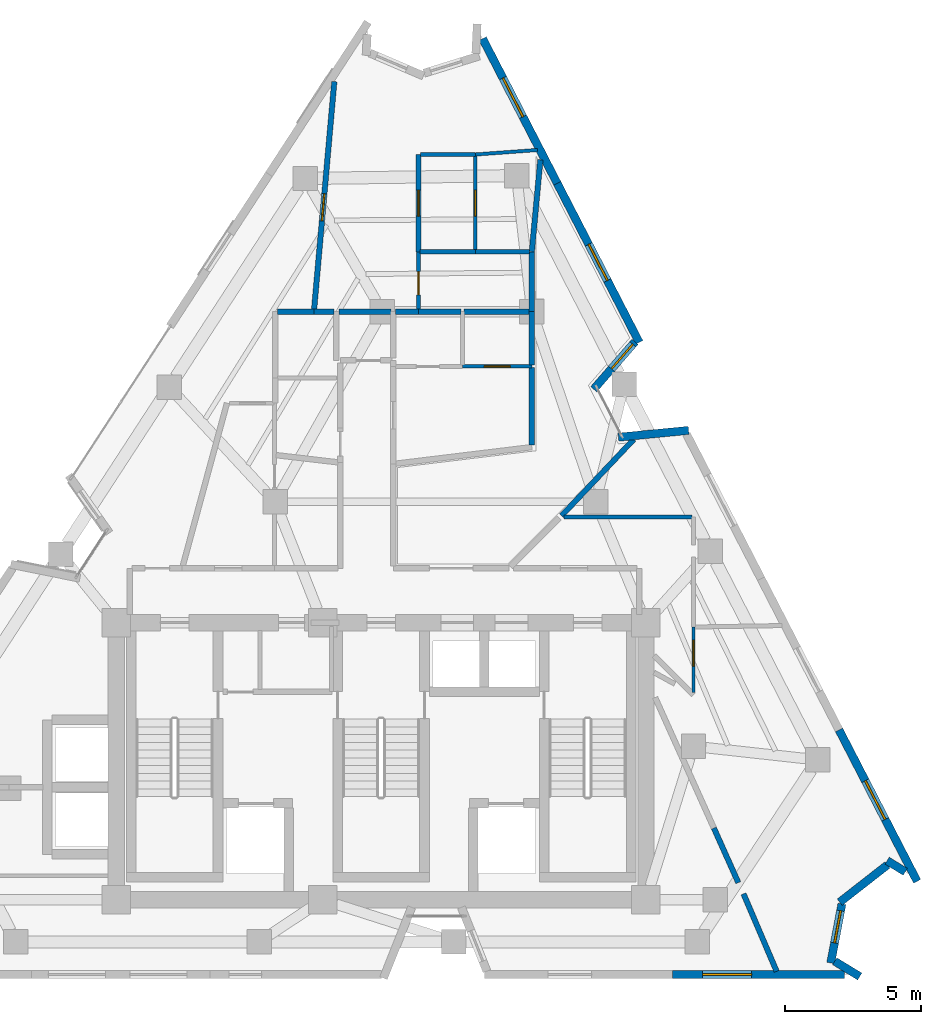
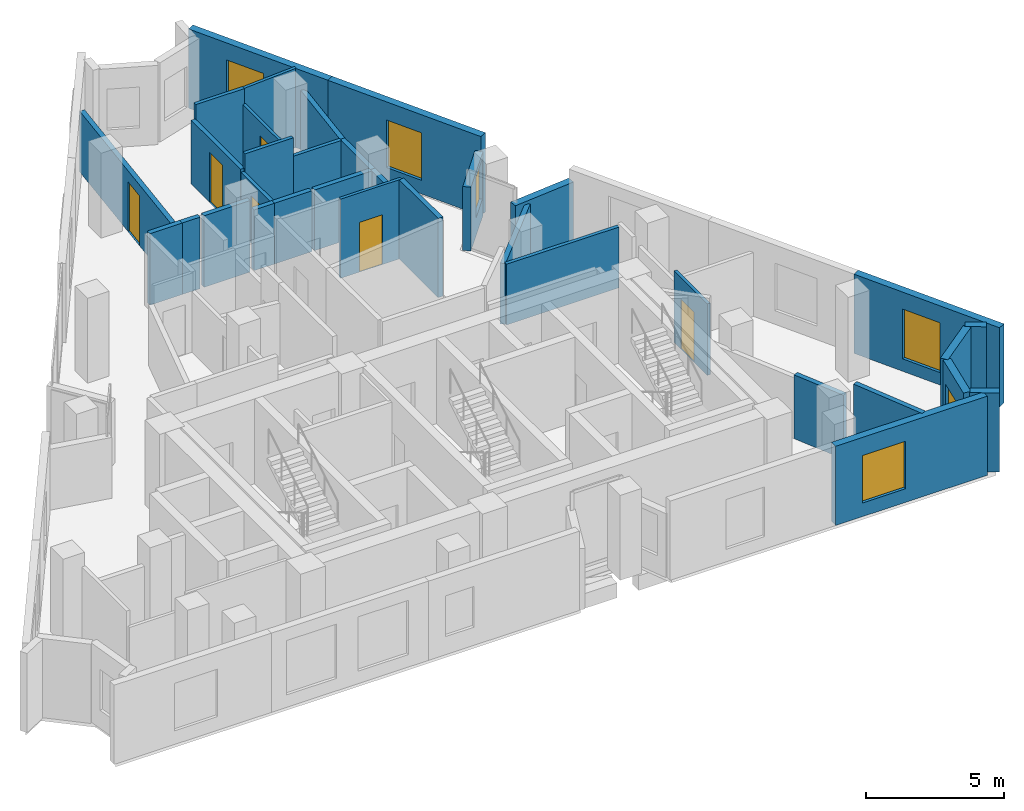
# One storey, part 7 of 9: 34 walls, 6 doors, 6 windows, 12 openings.
"""IFC4 building model written with IfcOpenShell, lengths in metres."""

from ifc_helpers import new_model, si_unit, direction, frame, frame_2d, origin, place, context, subcontext, project, spatial, rectangle, extrude, material, layer, layer_set, type_object, element, fill, save


model = new_model("IFC4")

# Units and contexts
model_context = context("Model", 3, precision=1e-05, world=origin(), true_north=direction((0.0, 1.0)))
body_context = subcontext(model_context, "Body", "Model", "MODEL_VIEW")
ifc_project = project(units=[si_unit("LENGTHUNIT", "METRE"), si_unit("AREAUNIT", "SQUARE_METRE"), si_unit("VOLUMEUNIT", "CUBIC_METRE"), si_unit("PLANEANGLEUNIT", "RADIAN"), si_unit("MASSUNIT", "GRAM", prefix="KILO")], contexts=[model_context])

# Site, building, storey
site_placement = place(None, origin())
site = spatial("IfcSite", under=ifc_project, at=site_placement, CompositionType="ELEMENT")
building_placement = place(site_placement, origin())
building = spatial("IfcBuilding", under=site, at=building_placement, Name="Almagre Mirador Tower", CompositionType="ELEMENT")
storey_placement = place(building_placement, frame((0.0, 0.0, 210.75)))
storey = spatial("IfcBuildingStorey", under=building, at=storey_placement, Name="L54", CompositionType="ELEMENT", Elevation=210.75)

# Wall, opening, window
ifc_material_1 = material(Name="Precast concrete C50/60", Category="concrete")
ifc_layer_1 = layer(ifc_material_1, 0.300048828125)
ifc_layer_set_1 = layer_set([ifc_layer_1], Name="Precast concrete C50/60")
wall_type_1 = type_object("IfcWallType", Name="WAL-EXT-300", PredefinedType="SOLIDWALL", material=ifc_layer_set_1)
wall_1_placement = place(storey_placement, frame((41.039306640625, 36.2451171875, 0.0), z_axis=(0.0, 0.0, 1.0), x_axis=(0.458292150172, -0.888801611773, 0.0)))
wall_1 = element("IfcWall", 1, at=wall_1_placement, inside=storey, type_object=wall_type_1, Name="L54 expressed almagre precast frame wall 09", PredefinedType="SOLIDWALL", context=body_context, shape_type="SweptSolid", body=[
    extrude(rectangle(XDim=5.9931640625, YDim=0.300048828125, at=frame_2d((2.99658203125, 0.0))), origin(), (0.0, 0.0, 1.0), 3.5),
])
opening_1_placement = place(wall_1_placement, frame((1.635009765625, 0.0, 0.550048828125)))
opening_1 = element("IfcOpeningElement", 2, at=opening_1_placement, cuts=wall_1, Name="Opening WN-06", PredefinedType="OPENING", context=body_context, shape_type="SweptSolid", body=[
    extrude(rectangle(XDim=1.60009765625, YDim=2.199951171875, at=frame_2d((0.800048828125, 1.10009765625))), frame((0.0, 0.159902, 0.0), z_axis=(0.0, -1.0, 0.0), x_axis=(1.0, 0.0, 0.0)), (0.0, 0.0, 1.0), 0.320049),
])
ifc_material_2 = material(Name="Dark solar-control laminated hurricane glass", Category="glass")
window_type_1 = type_object("IfcWindowType", Name="WIN-1600X2200", PartitioningType="DOUBLE_PANEL_VERTICAL", PredefinedType="WINDOW", material=ifc_material_2)
window_1_placement = place(opening_1_placement, origin())
window_1 = element("IfcWindow", 3, at=window_1_placement, inside=storey, type_object=window_type_1, Name="L54 recessed hurricane window L54-UL-ST", OverallHeight=2.199951171875, OverallWidth=1.60009765625, PartitioningType="SINGLE_PANEL", PredefinedType="WINDOW", context=body_context, shape_type="SweptSolid", body=[
    extrude(rectangle(XDim=1.60009765625, YDim=2.199951171875, at=frame_2d((0.800048828125, 1.10009765625))), frame((0.0, 0.030029296875, 0.0), z_axis=(0.0, -1.0, 0.0), x_axis=(1.0, 0.0, 0.0)), (0.0, 0.0, 1.0), 0.06005859375),
])
fill(opening_1, window_1)

wall_2_placement = place(storey_placement, frame((43.785888671875, 30.91845703125, 0.0), z_axis=(0.0, 0.0, 1.0), x_axis=(0.458349099599, -0.888772244671, 0.0)))
wall_2 = element("IfcWall", 4, at=wall_2_placement, inside=storey, type_object=wall_type_1, Name="L54 expressed almagre precast frame wall 10", PredefinedType="SOLIDWALL", context=body_context, shape_type="SweptSolid", body=[
    extrude(rectangle(XDim=6.5830078125, YDim=0.300048828125, at=frame_2d((3.29150390625, 0.0))), origin(), (0.0, 0.0, 1.0), 3.5),
])
opening_2_placement = place(wall_2_placement, frame((2.52490234375, 0.0, 0.60009765625)))
opening_2 = element("IfcOpeningElement", 5, at=opening_2_placement, cuts=wall_2, Name="Opening WN-03", PredefinedType="OPENING", context=body_context, shape_type="SweptSolid", body=[
    extrude(rectangle(XDim=1.5, YDim=2.10009765625, at=frame_2d((0.75, 1.050048828125))), frame((0.0, 0.159902, 0.0), z_axis=(0.0, -1.0, 0.0), x_axis=(1.0, 0.0, 0.0)), (0.0, 0.0, 1.0), 0.320049),
])
ifc_material_3 = material(Name="Dark solar-control laminated hurricane glass", Category="glass")
window_type_2 = type_object("IfcWindowType", Name="WIN-1500X2100", PartitioningType="DOUBLE_PANEL_VERTICAL", PredefinedType="WINDOW", material=ifc_material_3)
window_2_placement = place(opening_2_placement, origin())
window_2 = element("IfcWindow", 6, at=window_2_placement, inside=storey, type_object=window_type_2, Name="L54 recessed hurricane window L54-RST-K", OverallHeight=2.10009765625, OverallWidth=1.5, PartitioningType="SINGLE_PANEL", PredefinedType="WINDOW", context=body_context, shape_type="SweptSolid", body=[
    extrude(rectangle(XDim=1.5, YDim=2.10009765625, at=frame_2d((0.75, 1.050048828125))), frame((0.0, 0.030029296875, 0.0), z_axis=(0.0, -1.0, 0.0), x_axis=(1.0, 0.0, 0.0)), (0.0, 0.0, 1.0), 0.06005859375),
])
fill(opening_2, window_2)

wall_3_placement = place(storey_placement, frame((46.647216796875, 25.08642578125, 0.0), z_axis=(0.0, 0.0, 1.0), x_axis=(-0.656860073981, -0.754012495394, 0.0)))
wall_3 = element("IfcWall", 7, at=wall_3_placement, inside=storey, type_object=wall_type_1, Name="L54 expressed almagre precast frame wall 11", PredefinedType="SOLIDWALL", context=body_context, shape_type="SweptSolid", body=[
    extrude(rectangle(XDim=2.314453125, YDim=0.300048828125, at=frame_2d((1.1572265625, 0.0))), origin(), (0.0, 0.0, 1.0), 2.824951171875),
])
opening_3_placement = place(wall_3_placement, frame((0.1201171875, 0.0, 0.800048828125)))
opening_3 = element("IfcOpeningElement", 8, at=opening_3_placement, cuts=wall_3, Name="Opening WN-04", PredefinedType="OPENING", context=body_context, shape_type="SweptSolid", body=[
    extrude(rectangle(XDim=1.199951171875, YDim=1.800048828125, at=frame_2d((0.60009765625, 0.89990234375))), frame((0.0, 0.159902, 0.0), z_axis=(0.0, -1.0, 0.0), x_axis=(1.0, 0.0, 0.0)), (0.0, 0.0, 1.0), 0.320049),
])
ifc_material_4 = material(Name="Dark solar-control laminated hurricane glass", Category="glass")
window_type_3 = type_object("IfcWindowType", Name="WIN-1200X1800", PartitioningType="SINGLE_PANEL", PredefinedType="WINDOW", material=ifc_material_4)
window_3_placement = place(opening_3_placement, origin())
window_3 = element("IfcWindow", 9, at=window_3_placement, inside=storey, type_object=window_type_3, Name="L54 recessed hurricane window L54-RST-K", OverallHeight=1.800048828125, OverallWidth=1.199951171875, PartitioningType="SINGLE_PANEL", PredefinedType="WINDOW", context=body_context, shape_type="SweptSolid", body=[
    extrude(rectangle(XDim=1.199951171875, YDim=1.800048828125, at=frame_2d((0.60009765625, 0.89990234375))), frame((0.0, 0.030029296875, 0.0), z_axis=(0.0, -1.0, 0.0), x_axis=(1.0, 0.0, 0.0)), (0.0, 0.0, 1.0), 0.06005859375),
])
fill(opening_3, window_3)

# Wall
wall_4_placement = place(storey_placement, frame((46.03759765625, 21.575439453125, 0.0), z_axis=(0.0, 0.0, 1.0), x_axis=(0.995262869225, 0.097220476965, 0.0)))
element("IfcWall", 10, at=wall_4_placement, inside=storey, type_object=wall_type_1, Name="L54 expressed almagre precast frame wall 12", PredefinedType="SOLIDWALL", context=body_context, shape_type="SweptSolid", body=[
    extrude(rectangle(XDim=2.593994140625, YDim=0.300048828125, at=frame_2d((1.296875, 0.0))), origin(), (0.0, 0.0, 1.0), 2.824951171875),
])

# Wall, opening, window
wall_5_placement = place(storey_placement, frame((54.159423828125, 10.7998046875, 0.0), z_axis=(0.0, 0.0, 1.0), x_axis=(0.458322317218, -0.888786056113, 0.0)))
wall_5 = element("IfcWall", 11, at=wall_5_placement, inside=storey, type_object=wall_type_1, Name="L54 expressed almagre precast frame wall 15", PredefinedType="SOLIDWALL", context=body_context, shape_type="SweptSolid", body=[
    extrude(rectangle(XDim=6.265869140625, YDim=0.300048828125, at=frame_2d((3.1328125, 0.0))), origin(), (0.0, 0.0, 1.0), 3.5),
])
opening_4_placement = place(wall_5_placement, frame((2.10009765625, 0.0, 0.550048828125)))
opening_4 = element("IfcOpeningElement", 12, at=opening_4_placement, cuts=wall_5, Name="Opening WN-06", PredefinedType="OPENING", context=body_context, shape_type="SweptSolid", body=[
    extrude(rectangle(XDim=1.60009765625, YDim=2.199951171875, at=frame_2d((0.800048828125, 1.10009765625))), frame((0.0, 0.159902, 0.0), z_axis=(0.0, -1.0, 0.0), x_axis=(1.0, 0.0, 0.0)), (0.0, 0.0, 1.0), 0.320049),
])
window_4_placement = place(opening_4_placement, origin())
window_4 = element("IfcWindow", 13, at=window_4_placement, inside=storey, type_object=window_type_1, Name="L54 recessed hurricane window L54-UE-KT", OverallHeight=2.199951171875, OverallWidth=1.60009765625, PartitioningType="SINGLE_PANEL", PredefinedType="WINDOW", context=body_context, shape_type="SweptSolid", body=[
    extrude(rectangle(XDim=1.60009765625, YDim=2.199951171875, at=frame_2d((0.800048828125, 1.10009765625))), frame((0.0, 0.030029296875, 0.0), z_axis=(0.0, -1.0, 0.0), x_axis=(1.0, 0.0, 0.0)), (0.0, 0.0, 1.0), 0.06005859375),
])
fill(opening_4, window_4)

# Walls
wall_6_placement = place(storey_placement, frame((56.595458984375, 5.581298828125, 0.0), z_axis=(0.0, 0.0, 1.0), x_axis=(-0.853681479387, 0.520795479772, 0.0)))
element("IfcWall", 14, at=wall_6_placement, inside=storey, type_object=wall_type_1, Name="L54 expressed almagre precast frame wall 16", PredefinedType="SOLIDWALL", context=body_context, shape_type="SweptSolid", body=[
    extrude(rectangle(XDim=0.78466796875, YDim=0.300048828125, at=frame_2d((0.392333984375, 0.0))), origin(), (0.0, 0.0, 1.0), 3.5),
])
wall_7_placement = place(storey_placement, frame((55.938720703125, 5.833984375, 0.0), z_axis=(0.0, 0.0, 1.0), x_axis=(-0.788331324268, -0.615250943256, 0.0)))
element("IfcWall", 15, at=wall_7_placement, inside=storey, type_object=wall_type_1, Name="L54 expressed almagre precast frame wall 17", PredefinedType="SOLIDWALL", context=body_context, shape_type="SweptSolid", body=[
    extrude(rectangle(XDim=2.22998046875, YDim=0.300048828125, at=frame_2d((1.114990234375, 0.0))), origin(), (0.0, 0.0, 1.0), 3.5),
])

# Wall, opening, window
wall_8_placement = place(storey_placement, frame((54.26318359375, 4.400634765625, 0.0), z_axis=(0.0, 0.0, 1.0), x_axis=(-0.185632792315, -0.982619186876, 0.0)))
wall_8 = element("IfcWall", 16, at=wall_8_placement, inside=storey, type_object=wall_type_1, Name="L54 expressed almagre precast frame wall 18", PredefinedType="SOLIDWALL", context=body_context, shape_type="SweptSolid", body=[
    extrude(rectangle(XDim=2.21484375, YDim=0.300048828125, at=frame_2d((1.107421875, 0.0))), origin(), (0.0, 0.0, 1.0), 3.5),
])
opening_5_placement = place(wall_8_placement, frame((0.260009765625, 0.0, 0.800048828125)))
opening_5 = element("IfcOpeningElement", 17, at=opening_5_placement, cuts=wall_8, Name="Opening WN-04", PredefinedType="OPENING", context=body_context, shape_type="SweptSolid", body=[
    extrude(rectangle(XDim=1.199951171875, YDim=1.800048828125, at=frame_2d((0.60009765625, 0.89990234375))), frame((0.0, 0.159902, 0.0), z_axis=(0.0, -1.0, 0.0), x_axis=(1.0, 0.0, 0.0)), (0.0, 0.0, 1.0), 0.320049),
])
window_5_placement = place(opening_5_placement, origin())
window_5 = element("IfcWindow", 18, at=window_5_placement, inside=storey, type_object=window_type_3, Name="L54 recessed hurricane window L54-RST-C", OverallHeight=1.800048828125, OverallWidth=1.199951171875, PartitioningType="SINGLE_PANEL", PredefinedType="WINDOW", context=body_context, shape_type="SweptSolid", body=[
    extrude(rectangle(XDim=1.199951171875, YDim=1.800048828125, at=frame_2d((0.60009765625, 0.89990234375))), frame((0.0, 0.030029296875, 0.0), z_axis=(0.0, -1.0, 0.0), x_axis=(1.0, 0.0, 0.0)), (0.0, 0.0, 1.0), 0.06005859375),
])
fill(opening_5, window_5)

# Wall
wall_9_placement = place(storey_placement, frame((53.99755859375, 2.2890625, 0.0), z_axis=(0.0, 0.0, 1.0), x_axis=(0.853840299064, -0.520535055203, 0.0)))
element("IfcWall", 19, at=wall_9_placement, inside=storey, type_object=wall_type_1, Name="L54 expressed almagre precast frame wall 19", PredefinedType="SOLIDWALL", context=body_context, shape_type="SweptSolid", body=[
    extrude(rectangle(XDim=1.07958984375, YDim=0.300048828125, at=frame_2d((0.539794921875, 0.0))), origin(), (0.0, 0.0, 1.0), 3.5),
])

# Wall, opening, window
wall_10_placement = place(storey_placement, frame((54.360107421875, 1.800048828125, 0.0), z_axis=(0.0, 0.0, 1.0), x_axis=(-1.0, 0.0, 0.0)))
wall_10 = element("IfcWall", 20, at=wall_10_placement, inside=storey, type_object=wall_type_1, Name="L54 expressed almagre precast frame wall 20", PredefinedType="SOLIDWALL", context=body_context, shape_type="SweptSolid", body=[
    extrude(rectangle(XDim=6.338134765625, YDim=0.300048828125, at=frame_2d((3.1689453125, 0.0))), origin(), (0.0, 0.0, 1.0), 3.5),
])
opening_6_placement = place(wall_10_placement, frame((3.419921875, 0.0, 0.60009765625)))
opening_6 = element("IfcOpeningElement", 21, at=opening_6_placement, cuts=wall_10, Name="Opening WN-01", PredefinedType="OPENING", context=body_context, shape_type="SweptSolid", body=[
    extrude(rectangle(XDim=1.800048828125, YDim=2.10009765625, at=frame_2d((0.89990234375, 1.050048828125))), frame((0.0, 0.159902, 0.0), z_axis=(0.0, -1.0, 0.0), x_axis=(1.0, 0.0, 0.0)), (0.0, 0.0, 1.0), 0.320049),
])
ifc_material_5 = material(Name="Dark solar-control laminated hurricane glass", Category="glass")
window_type_4 = type_object("IfcWindowType", Name="WIN-1800X2100", PartitioningType="DOUBLE_PANEL_VERTICAL", PredefinedType="WINDOW", material=ifc_material_5)
window_6_placement = place(opening_6_placement, origin())
window_6 = element("IfcWindow", 22, at=window_6_placement, inside=storey, type_object=window_type_4, Name="L54 recessed hurricane window L54-UB-ST", OverallHeight=2.10009765625, OverallWidth=1.800048828125, PartitioningType="SINGLE_PANEL", PredefinedType="WINDOW", context=body_context, shape_type="SweptSolid", body=[
    extrude(rectangle(XDim=1.800048828125, YDim=2.10009765625, at=frame_2d((0.89990234375, 1.050048828125))), frame((0.0, 0.030029296875, 0.0), z_axis=(0.0, -1.0, 0.0), x_axis=(1.0, 0.0, 0.0)), (0.0, 0.0, 1.0), 0.06005859375),
])
fill(opening_6, window_6)

# Wall, opening, door
ifc_material_6 = material(Name="Gypsum acoustic stud partition", Category="other")
ifc_layer_2 = layer(ifc_material_6, 0.125)
ifc_layer_set_2 = layer_set([ifc_layer_2], Name="Gypsum acoustic stud partition")
wall_type_2 = type_object("IfcWallType", Name="WAL-PRT-125-UTL", PredefinedType="PARTITIONING", material=ifc_layer_set_2)
wall_11_placement = place(storey_placement, frame((48.800048828125, 12.175048828125, 0.0), z_axis=(0.0, 0.0, 1.0), x_axis=(0.0, 1.0, 0.0)))
wall_11 = element("IfcWall", 23, at=wall_11_placement, inside=storey, type_object=wall_type_2, Name="L54 interior partition 036", PredefinedType="PARTITIONING", context=body_context, shape_type="SweptSolid", body=[
    extrude(rectangle(XDim=2.4150390625, YDim=0.125, at=frame_2d((1.20751953125, 0.0))), origin(), (0.0, 0.0, 1.0), 3.159912109375),
])
opening_7_placement = place(wall_11_placement, frame((0.978515625, 0.0, 0.0)))
opening_7 = element("IfcOpeningElement", 24, at=opening_7_placement, cuts=wall_11, Name="Opening UD-01", PredefinedType="OPENING", context=body_context, shape_type="SweptSolid", body=[
    extrude(rectangle(XDim=0.949951171875, YDim=2.199951171875, at=frame_2d((0.47509765625, 1.10009765625))), frame((0.0, 0.0725, 0.0), z_axis=(0.0, -1.0, 0.0), x_axis=(1.0, 0.0, 0.0)), (0.0, 0.0, 1.0), 0.145),
])
ifc_material_7 = material(Name="Solid American walnut timber", Category="wood")
door_type_1 = type_object("IfcDoorType", Name="DOR-UNR-950X2200", OperationType="NOTDEFINED", PredefinedType="DOOR", material=ifc_material_7)
door_1_placement = place(opening_7_placement, origin())
door_1 = element("IfcDoor", 25, at=door_1_placement, inside=storey, type_object=door_type_1, Name="DR-1679 L54 interior door L54-UE-ST to L54-UE-KT", OperationType="SINGLE_SWING_RIGHT", OverallHeight=2.199951171875, OverallWidth=0.949951171875, PredefinedType="DOOR", context=body_context, shape_type="SweptSolid", body=[
    extrude(rectangle(XDim=0.949951171875, YDim=2.199951171875, at=frame_2d((0.47509765625, 1.10009765625))), frame((0.0, 0.02490234375, 0.0), z_axis=(0.0, -1.0, 0.0), x_axis=(1.0, 0.0, 0.0)), (0.0, 0.0, 1.0), 0.050048828125),
])
fill(opening_7, door_1)

wall_12_placement = place(storey_placement, frame((42.85009765625, 24.179931640625, 0.0), z_axis=(0.0, 0.0, 1.0), x_axis=(-1.0, 0.0, 0.0)))
wall_12 = element("IfcWall", 26, at=wall_12_placement, inside=storey, type_object=wall_type_2, Name="L54 interior partition 059", PredefinedType="PARTITIONING", context=body_context, shape_type="SweptSolid", body=[
    extrude(rectangle(XDim=2.550048828125, YDim=0.125, at=frame_2d((1.27490234375, 0.0))), origin(), (0.0, 0.0, 1.0), 3.5),
])
opening_8_placement = place(wall_12_placement, frame((0.800048828125, 0.0, 0.0)))
opening_8 = element("IfcOpeningElement", 27, at=opening_8_placement, cuts=wall_12, Name="Opening UD-01", PredefinedType="OPENING", context=body_context, shape_type="SweptSolid", body=[
    extrude(rectangle(XDim=0.949951171875, YDim=2.199951171875, at=frame_2d((0.47509765625, 1.10009765625))), frame((0.0, 0.0725, 0.0), z_axis=(0.0, -1.0, 0.0), x_axis=(1.0, 0.0, 0.0)), (0.0, 0.0, 1.0), 0.145),
])
door_2_placement = place(opening_8_placement, origin())
door_2 = element("IfcDoor", 28, at=door_2_placement, inside=storey, type_object=door_type_1, Name="DR-1685 L54 interior door L54-UJ-ST to L54-UJ-KT", OperationType="SINGLE_SWING_LEFT", OverallHeight=2.199951171875, OverallWidth=0.949951171875, PredefinedType="DOOR", context=body_context, shape_type="SweptSolid", body=[
    extrude(rectangle(XDim=0.949951171875, YDim=2.199951171875, at=frame_2d((0.47509765625, 1.10009765625))), frame((0.0, 0.02490234375, 0.0), z_axis=(0.0, -1.0, 0.0), x_axis=(1.0, 0.0, 0.0)), (0.0, 0.0, 1.0), 0.050048828125),
])
fill(opening_8, door_2)

# Wall
wall_13_placement = place(storey_placement, frame((40.77001953125, 31.97998046875, 0.0), z_axis=(0.0, 0.0, 1.0), x_axis=(0.997397150256, 0.072103568984, 0.0)))
element("IfcWall", 29, at=wall_13_placement, inside=storey, type_object=wall_type_2, Name="L54 interior partition 071", PredefinedType="PARTITIONING", context=body_context, shape_type="SweptSolid", body=[
    extrude(rectangle(XDim=2.288818359375, YDim=0.125, at=frame_2d((1.14453125, 0.0))), origin(), (0.0, 0.0, 1.0), 3.5),
])

# Wall, opening, door
wall_14_placement = place(storey_placement, frame((40.77001953125, 31.9326171875, 0.0), z_axis=(0.0, 0.0, 1.0), x_axis=(0.0, -1.0, 0.0)))
wall_14 = element("IfcWall", 30, at=wall_14_placement, inside=storey, type_object=wall_type_2, Name="L54 interior partition 076", PredefinedType="PARTITIONING", context=body_context, shape_type="SweptSolid", body=[
    extrude(rectangle(XDim=3.47265625, YDim=0.125, at=frame_2d((1.736328125, 0.0))), origin(), (0.0, 0.0, 1.0), 2.820068359375),
])
opening_9_placement = place(wall_14_placement, frame((1.267578125, 0.0, 0.0)))
opening_9 = element("IfcOpeningElement", 31, at=opening_9_placement, cuts=wall_14, Name="Opening UD-01", PredefinedType="OPENING", context=body_context, shape_type="SweptSolid", body=[
    extrude(rectangle(XDim=0.949951171875, YDim=2.199951171875, at=frame_2d((0.47509765625, 1.10009765625))), frame((0.0, 0.0725, 0.0), z_axis=(0.0, -1.0, 0.0), x_axis=(1.0, 0.0, 0.0)), (0.0, 0.0, 1.0), 0.145),
])
door_3_placement = place(opening_9_placement, origin())
door_3 = element("IfcDoor", 32, at=door_3_placement, inside=storey, type_object=door_type_1, Name="DR-1687 L54 interior door L54-UL-KT to L54-UL-ST1", OperationType="SINGLE_SWING_RIGHT", OverallHeight=2.199951171875, OverallWidth=0.949951171875, PredefinedType="DOOR", context=body_context, shape_type="SweptSolid", body=[
    extrude(rectangle(XDim=0.949951171875, YDim=2.199951171875, at=frame_2d((0.47509765625, 1.10009765625))), frame((0.0, 0.02490234375, 0.0), z_axis=(0.0, -1.0, 0.0), x_axis=(1.0, 0.0, 0.0)), (0.0, 0.0, 1.0), 0.050048828125),
])
fill(opening_9, door_3)

# Wall
ifc_material_8 = material(Name="Gypsum acoustic stud partition", Category="other")
ifc_layer_3 = layer(ifc_material_8, 0.14990234375)
ifc_layer_set_3 = layer_set([ifc_layer_3], Name="Gypsum acoustic stud partition")
wall_type_3 = type_object("IfcWallType", Name="WAL-PRT-150-STD", PredefinedType="PARTITIONING", material=ifc_layer_set_3)
wall_15_placement = place(storey_placement, frame((48.739990234375, 18.639892578125, 0.0), z_axis=(0.0, 0.0, 1.0), x_axis=(-1.0, 0.0, 0.0)))
element("IfcWall", 33, at=wall_15_placement, inside=storey, type_object=wall_type_3, Name="L54 interior partition 038", PredefinedType="PARTITIONING", context=body_context, shape_type="SweptSolid", body=[
    extrude(rectangle(XDim=4.705078125, YDim=0.14990234375, at=frame_2d((2.3525390625, 0.0))), origin(), (0.0, 0.0, 1.0), 2.68505859375),
])

# Wall, opening, door
wall_16_placement = place(storey_placement, frame((38.679931640625, 26.284912109375, 0.0), z_axis=(0.0, 0.0, 1.0), x_axis=(0.0, 1.0, 0.0)))
wall_16 = element("IfcWall", 34, at=wall_16_placement, inside=storey, type_object=wall_type_3, Name="L54 interior partition 070", PredefinedType="PARTITIONING", context=body_context, shape_type="SweptSolid", body=[
    extrude(rectangle(XDim=2.114990234375, YDim=0.14990234375, at=frame_2d((1.0576171875, 0.0))), origin(), (0.0, 0.0, 1.0), 2.68505859375),
])
opening_10_placement = place(wall_16_placement, frame((0.530517578125, 0.0, 0.0)))
opening_10 = element("IfcOpeningElement", 35, at=opening_10_placement, cuts=wall_16, Name="Opening UD-04", PredefinedType="OPENING", context=body_context, shape_type="SweptSolid", body=[
    extrude(rectangle(XDim=0.85009765625, YDim=2.10009765625, at=frame_2d((0.425048828125, 1.050048828125))), frame((0.0, 0.084951, 0.0), z_axis=(0.0, -1.0, 0.0), x_axis=(1.0, 0.0, 0.0)), (0.0, 0.0, 1.0), 0.169902),
])
ifc_material_9 = material(Name="Moisture-resistant oak timber", Category="wood")
door_type_2 = type_object("IfcDoorType", Name="DOR-UNR-850X2100", OperationType="NOTDEFINED", PredefinedType="DOOR", material=ifc_material_9)
door_4_placement = place(opening_10_placement, origin())
door_4 = element("IfcDoor", 36, at=door_4_placement, inside=storey, type_object=door_type_2, Name="DR-1689 L54 interior door L54-UL-ST to L54-UL-HB", OperationType="SINGLE_SWING_RIGHT", OverallHeight=2.10009765625, OverallWidth=0.85009765625, PredefinedType="DOOR", context=body_context, shape_type="SweptSolid", body=[
    extrude(rectangle(XDim=0.85009765625, YDim=2.10009765625, at=frame_2d((0.425048828125, 1.050048828125))), frame((0.0, 0.02490234375, 0.0), z_axis=(0.0, -1.0, 0.0), x_axis=(1.0, 0.0, 0.0)), (0.0, 0.0, 1.0), 0.050048828125),
])
fill(opening_10, door_4)

# Walls
wall_17_placement = place(storey_placement, frame((38.75244140625, 31.97998046875, 0.0), z_axis=(0.0, 0.0, 1.0), x_axis=(1.0, 0.0, 0.0)))
element("IfcWall", 37, at=wall_17_placement, inside=storey, type_object=wall_type_3, Name="L54 interior partition 073", PredefinedType="PARTITIONING", context=body_context, shape_type="SweptSolid", body=[
    extrude(rectangle(XDim=2.017578125, YDim=0.14990234375, at=frame_2d((1.0087890625, 0.0))), origin(), (0.0, 0.0, 1.0), 3.5),
])
wall_18_placement = place(storey_placement, frame((42.764892578125, 28.39990234375, 0.0), z_axis=(0.0, 0.0, 1.0), x_axis=(-1.0, 0.0, 0.0)))
element("IfcWall", 38, at=wall_18_placement, inside=storey, type_object=wall_type_3, Name="L54 interior partition 074", PredefinedType="PARTITIONING", context=body_context, shape_type="SweptSolid", body=[
    extrude(rectangle(XDim=1.994873046875, YDim=0.14990234375, at=frame_2d((0.99755859375, 0.0))), origin(), (0.0, 0.0, 1.0), 2.68505859375),
])
wall_19_placement = place(storey_placement, frame((40.77001953125, 28.39990234375, 0.0), z_axis=(0.0, 0.0, 1.0), x_axis=(-1.0, 0.0, 0.0)))
element("IfcWall", 39, at=wall_19_placement, inside=storey, type_object=wall_type_3, Name="L54 interior partition 075", PredefinedType="PARTITIONING", context=body_context, shape_type="SweptSolid", body=[
    extrude(rectangle(XDim=2.030029296875, YDim=0.14990234375, at=frame_2d((1.01513671875, 0.0))), origin(), (0.0, 0.0, 1.0), 3.5),
])

# Wall, opening, door
ifc_material_10 = material(Name="Gypsum acoustic stud partition", Category="other")
ifc_layer_4 = layer(ifc_material_10, 0.175048828125)
ifc_layer_set_4 = layer_set([ifc_layer_4], Name="Gypsum acoustic stud partition")
wall_type_4 = type_object("IfcWallType", Name="WAL-PRT-175-AC", PredefinedType="PARTITIONING", material=ifc_layer_set_4)
wall_20_placement = place(storey_placement, frame((38.679931640625, 28.39990234375, 0.0), z_axis=(0.0, 0.0, 1.0), x_axis=(0.0, 1.0, 0.0)))
wall_20 = element("IfcWall", 40, at=wall_20_placement, inside=storey, type_object=wall_type_4, Name="L54 interior partition 072", PredefinedType="PARTITIONING", context=body_context, shape_type="SweptSolid", body=[
    extrude(rectangle(XDim=3.580078125, YDim=0.175048828125, at=frame_2d((1.7900390625, 0.0))), origin(), (0.0, 0.0, 1.0), 2.820068359375),
])
opening_11_placement = place(wall_20_placement, frame((1.31494140625, 0.0, 0.0)))
opening_11 = element("IfcOpeningElement", 41, at=opening_11_placement, cuts=wall_20, Name="Opening UD-01", PredefinedType="OPENING", context=body_context, shape_type="SweptSolid", body=[
    extrude(rectangle(XDim=0.949951171875, YDim=2.199951171875, at=frame_2d((0.47509765625, 1.10009765625))), frame((0.0, 0.097402, 0.0), z_axis=(0.0, -1.0, 0.0), x_axis=(1.0, 0.0, 0.0)), (0.0, 0.0, 1.0), 0.195049),
])
door_5_placement = place(opening_11_placement, origin())
door_5 = element("IfcDoor", 42, at=door_5_placement, inside=storey, type_object=door_type_1, Name="DR-1688 L54 interior door L54-UL-ST to L54-UL-ST1", OperationType="SINGLE_SWING_LEFT", OverallHeight=2.199951171875, OverallWidth=0.949951171875, PredefinedType="DOOR", context=body_context, shape_type="SweptSolid", body=[
    extrude(rectangle(XDim=0.949951171875, YDim=2.199951171875, at=frame_2d((0.47509765625, 1.10009765625))), frame((0.0, 0.02490234375, 0.0), z_axis=(0.0, -1.0, 0.0), x_axis=(1.0, 0.0, 0.0)), (0.0, 0.0, 1.0), 0.050048828125),
])
fill(opening_11, door_5)

# Walls
ifc_material_11 = material(Name="Gypsum acoustic stud partition", Category="other")
ifc_layer_5 = layer(ifc_material_11, 0.199951171875)
ifc_layer_set_5 = layer_set([ifc_layer_5], Name="Gypsum acoustic stud partition")
wall_type_5 = type_object("IfcWallType", Name="WAL-PRT-200-EI60", PredefinedType="PARTITIONING", material=ifc_layer_set_5)
wall_21_placement = place(storey_placement, frame((50.449951171875, 5.179931640625, 0.0), z_axis=(0.0, 0.0, 1.0), x_axis=(-0.408626143047, 0.912701854506, 0.0)))
element("IfcWall", 43, at=wall_21_placement, inside=storey, type_object=wall_type_5, Name="L54 interior partition 026", PredefinedType="PARTITIONING", context=body_context, shape_type="SweptSolid", body=[
    extrude(rectangle(XDim=2.2021484375, YDim=0.199951171875, at=frame_2d((1.10107421875, 0.0))), origin(), (0.0, 0.0, 1.0), 2.820068359375),
])
wall_22_placement = place(storey_placement, frame((51.860107421875, 1.91796875, 0.0), z_axis=(0.0, 0.0, 1.0), x_axis=(-0.393349316575, 0.919389098886, 0.0)))
element("IfcWall", 44, at=wall_22_placement, inside=storey, type_object=wall_type_5, Name="L54 interior partition 027", PredefinedType="PARTITIONING", context=body_context, shape_type="SweptSolid", body=[
    extrude(rectangle(XDim=3.10205078125, YDim=0.199951171875, at=frame_2d((1.551025390625, 0.0))), origin(), (0.0, 0.0, 1.0), 3.5),
])
wall_23_placement = place(storey_placement, frame((46.60400390625, 21.498046875, 0.0), z_axis=(0.0, 0.0, 1.0), x_axis=(-0.687141431113, -0.72652367728, 0.0)))
element("IfcWall", 45, at=wall_23_placement, inside=storey, type_object=wall_type_5, Name="L54 interior partition 042", PredefinedType="PARTITIONING", context=body_context, shape_type="SweptSolid", body=[
    extrude(rectangle(XDim=3.87451171875, YDim=0.199951171875, at=frame_2d((1.937255859375, 0.0))), origin(), (0.0, 0.0, 1.0), 2.68505859375),
])
wall_24_placement = place(storey_placement, frame((33.485107421875, 26.199951171875, 0.0), z_axis=(0.0, 0.0, 1.0), x_axis=(1.0, 0.0, 0.0)))
element("IfcWall", 46, at=wall_24_placement, inside=storey, type_object=wall_type_5, Name="L54 interior partition 051", PredefinedType="PARTITIONING", context=body_context, shape_type="SweptSolid", body=[
    extrude(rectangle(XDim=1.344970703125, YDim=0.199951171875, at=frame_2d((0.67236328125, 0.0))), origin(), (0.0, 0.0, 1.0), 3.159912109375),
])

# Wall, opening, door
wall_25_placement = place(storey_placement, frame((34.837890625, 26.28466796875, 0.0), z_axis=(0.0, 0.0, 1.0), x_axis=(0.088352923437, 0.996089233412, 0.0)))
wall_25 = element("IfcWall", 47, at=wall_25_placement, inside=storey, type_object=wall_type_5, Name="L54 interior partition 052", PredefinedType="PARTITIONING", context=body_context, shape_type="SweptSolid", body=[
    extrude(rectangle(XDim=8.411376953125, YDim=0.199951171875, at=frame_2d((4.20556640625, 0.0))), origin(), (0.0, 0.0, 1.0), 2.68505859375),
])
opening_12_placement = place(wall_25_placement, frame((3.263671875, 0.0, 0.0)))
opening_12 = element("IfcOpeningElement", 48, at=opening_12_placement, cuts=wall_25, Name="Opening ID-01", PredefinedType="OPENING", context=body_context, shape_type="SweptSolid", body=[
    extrude(rectangle(XDim=1.0, YDim=2.199951171875, at=frame_2d((0.5, 1.10009765625))), frame((0.0, 0.110098, 0.0), z_axis=(0.0, -1.0, 0.0), x_axis=(1.0, 0.0, 0.0)), (0.0, 0.0, 1.0), 0.219951),
])
ifc_material_12 = material(Name="Fire-rated walnut timber", Category="wood")
door_type_3 = type_object("IfcDoorType", Name="DOR-FD60-1000X2200", OperationType="NOTDEFINED", PredefinedType="DOOR", material=ifc_material_12)
door_6_placement = place(opening_12_placement, origin())
door_6 = element("IfcDoor", 49, at=door_6_placement, inside=storey, type_object=door_type_3, Name="DR-1690 L54 interior door L54-UG-KT to L54-UL-ST", OperationType="SINGLE_SWING_LEFT", OverallHeight=2.199951171875, OverallWidth=1.0, PredefinedType="DOOR", context=body_context, shape_type="SweptSolid", body=[
    extrude(rectangle(XDim=1.0, YDim=2.199951171875, at=frame_2d((0.5, 1.10009765625))), frame((0.0, 0.02490234375, 0.0), z_axis=(0.0, -1.0, 0.0), x_axis=(1.0, 0.0, 0.0)), (0.0, 0.0, 1.0), 0.050048828125),
])
fill(opening_12, door_6)

# Walls
wall_26_placement = place(storey_placement, frame((37.6650390625, 26.199951171875, 0.0), z_axis=(0.0, 0.0, 1.0), x_axis=(-1.0, 0.0, 0.0)))
element("IfcWall", 50, at=wall_26_placement, inside=storey, type_object=wall_type_5, Name="L54 interior partition 056", PredefinedType="PARTITIONING", context=body_context, shape_type="SweptSolid", body=[
    extrude(rectangle(XDim=1.919921875, YDim=0.199951171875, at=frame_2d((0.9599609375, 0.0))), origin(), (0.0, 0.0, 1.0), 3.159912109375),
])
wall_27_placement = place(storey_placement, frame((35.574951171875, 26.199951171875, 0.0), z_axis=(0.0, 0.0, 1.0), x_axis=(-1.0, 0.0, 0.0)))
element("IfcWall", 51, at=wall_27_placement, inside=storey, type_object=wall_type_5, Name="L54 interior partition 058", PredefinedType="PARTITIONING", context=body_context, shape_type="SweptSolid", body=[
    extrude(rectangle(XDim=0.744873046875, YDim=0.199951171875, at=frame_2d((0.37255859375, 0.0))), origin(), (0.0, 0.0, 1.0), 3.159912109375),
])
wall_28_placement = place(storey_placement, frame((42.85009765625, 21.294921875, 0.0), z_axis=(0.0, 0.0, 1.0), x_axis=(0.0, 1.0, 0.0)))
element("IfcWall", 52, at=wall_28_placement, inside=storey, type_object=wall_type_5, Name="L54 interior partition 062", PredefinedType="PARTITIONING", context=body_context, shape_type="SweptSolid", body=[
    extrude(rectangle(XDim=2.837646484375, YDim=0.199951171875, at=frame_2d((1.4189453125, 0.0))), origin(), (0.0, 0.0, 1.0), 3.5),
])
wall_29_placement = place(storey_placement, frame((42.85009765625, 24.2275390625, 0.0), z_axis=(0.0, 0.0, 1.0), x_axis=(0.0, 1.0, 0.0)))
element("IfcWall", 53, at=wall_29_placement, inside=storey, type_object=wall_type_5, Name="L54 interior partition 064", PredefinedType="PARTITIONING", context=body_context, shape_type="SweptSolid", body=[
    extrude(rectangle(XDim=1.972412109375, YDim=0.199951171875, at=frame_2d((0.986328125, 0.0))), origin(), (0.0, 0.0, 1.0), 2.68505859375),
])
wall_30_placement = place(storey_placement, frame((42.764892578125, 26.199951171875, 0.0), z_axis=(0.0, 0.0, 1.0), x_axis=(-1.0, 0.0, 0.0)))
element("IfcWall", 54, at=wall_30_placement, inside=storey, type_object=wall_type_5, Name="L54 interior partition 065", PredefinedType="PARTITIONING", context=body_context, shape_type="SweptSolid", body=[
    extrude(rectangle(XDim=2.40478515625, YDim=0.199951171875, at=frame_2d((1.202392578125, 0.0))), origin(), (0.0, 0.0, 1.0), 2.68505859375),
])
wall_31_placement = place(storey_placement, frame((38.679931640625, 26.199951171875, 0.0), z_axis=(0.0, 0.0, 1.0), x_axis=(-1.0, 0.0, 0.0)))
element("IfcWall", 55, at=wall_31_placement, inside=storey, type_object=wall_type_5, Name="L54 interior partition 066", PredefinedType="PARTITIONING", context=body_context, shape_type="SweptSolid", body=[
    extrude(rectangle(XDim=0.844970703125, YDim=0.199951171875, at=frame_2d((0.42236328125, 0.0))), origin(), (0.0, 0.0, 1.0), 2.68505859375),
])
wall_32_placement = place(storey_placement, frame((40.239990234375, 26.199951171875, 0.0), z_axis=(0.0, 0.0, 1.0), x_axis=(-1.0, 0.0, 0.0)))
element("IfcWall", 56, at=wall_32_placement, inside=storey, type_object=wall_type_5, Name="L54 interior partition 067", PredefinedType="PARTITIONING", context=body_context, shape_type="SweptSolid", body=[
    extrude(rectangle(XDim=1.56005859375, YDim=0.199951171875, at=frame_2d((0.780029296875, 0.0))), origin(), (0.0, 0.0, 1.0), 2.68505859375),
])
wall_33_placement = place(storey_placement, frame((42.85009765625, 28.39990234375, 0.0), z_axis=(0.0, 0.0, 1.0), x_axis=(0.0, -1.0, 0.0)))
element("IfcWall", 57, at=wall_33_placement, inside=storey, type_object=wall_type_5, Name="L54 interior partition 068", PredefinedType="PARTITIONING", context=body_context, shape_type="SweptSolid", body=[
    extrude(rectangle(XDim=2.199951171875, YDim=0.199951171875, at=frame_2d((1.10009765625, 0.0))), origin(), (0.0, 0.0, 1.0), 2.68505859375),
])
wall_34_placement = place(storey_placement, frame((43.1640625, 31.784912109375, 0.0), z_axis=(0.0, 0.0, 1.0), x_axis=(-0.092355124874, -0.995726132483, 0.0)))
element("IfcWall", 58, at=wall_34_placement, inside=storey, type_object=wall_type_5, Name="L54 interior partition 069", PredefinedType="PARTITIONING", context=body_context, shape_type="SweptSolid", body=[
    extrude(rectangle(XDim=3.399658203125, YDim=0.199951171875, at=frame_2d((1.69970703125, 0.0))), origin(), (0.0, 0.0, 1.0), 2.68505859375),
])

save(model, "model.ifc")
